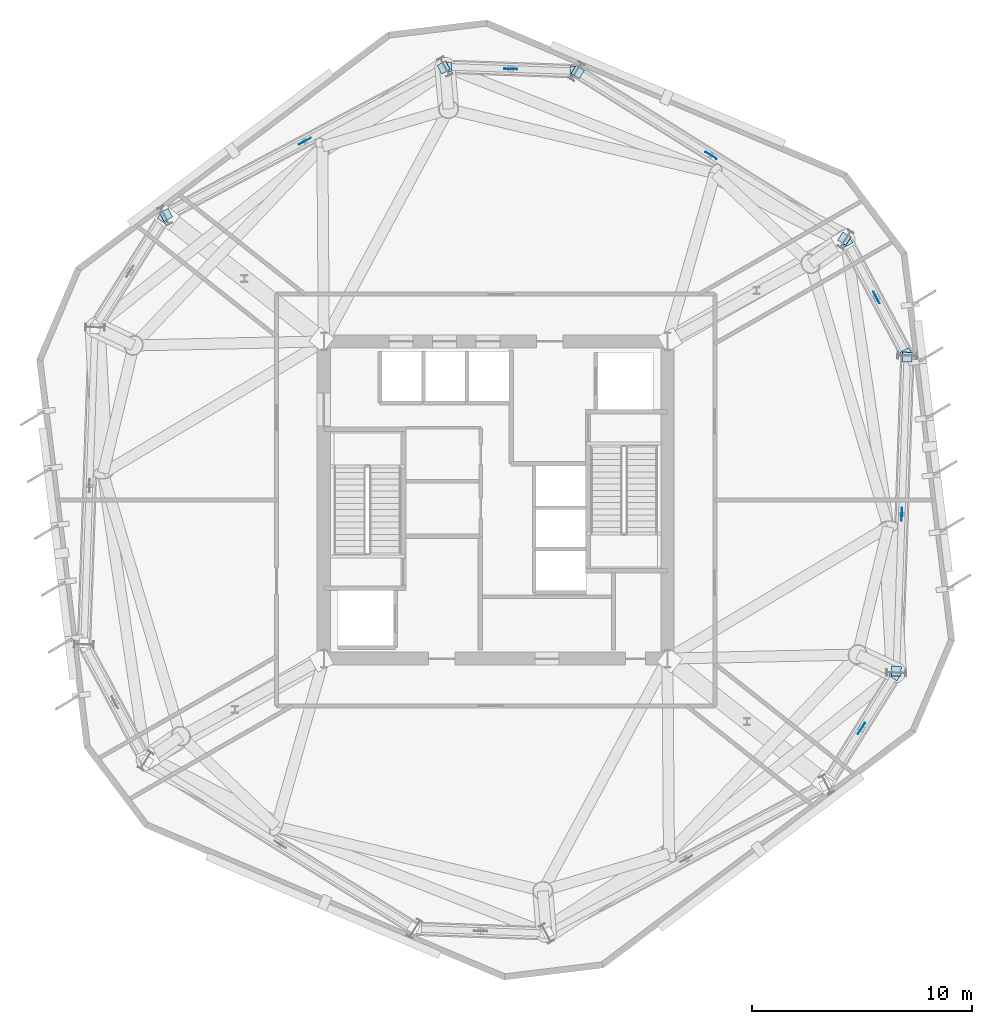
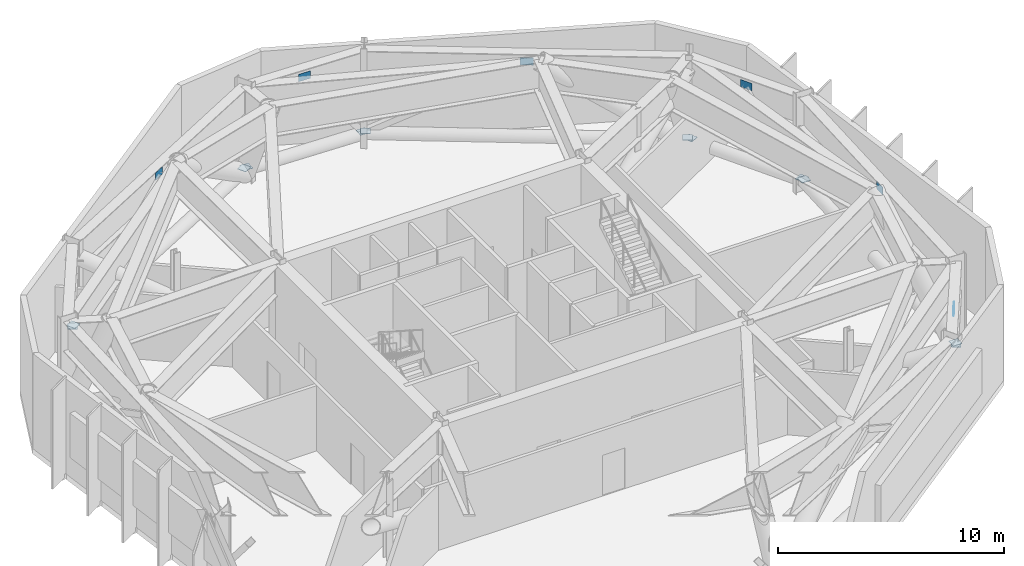
# One storey, part 5 of 11: 18 plates.
"""IFC4 building model written with IfcOpenShell, lengths in metres."""

from ifc_helpers import new_model, si_unit, direction, frame, origin, origin_2d, place, context, subcontext, project, spatial, rectangle, extrude, material, layer, layer_set, type_object, element, save


model = new_model("IFC4")

# Units and contexts
model_context = context("Model", 3, precision=1e-05, world=origin(), true_north=direction((0.0, 1.0)))
body_context = subcontext(model_context, "Body", "Model", "MODEL_VIEW")
ifc_project = project(units=[si_unit("LENGTHUNIT", "METRE"), si_unit("AREAUNIT", "SQUARE_METRE"), si_unit("VOLUMEUNIT", "CUBIC_METRE"), si_unit("PLANEANGLEUNIT", "RADIAN"), si_unit("MASSUNIT", "GRAM", prefix="KILO")], contexts=[model_context])

# Site, building, storey
site_placement = place(None, origin())
site = spatial("IfcSite", under=ifc_project, at=site_placement, CompositionType="ELEMENT")
building_placement = place(site_placement, origin())
building = spatial("IfcBuilding", under=site, at=building_placement, Name="Kranzbogen Civic Tower", CompositionType="ELEMENT")
storey_placement = place(building_placement, frame((0.0, 0.0, 170.39990234375)))
storey = spatial("IfcBuildingStorey", under=building, at=storey_placement, Name="L41", CompositionType="ELEMENT", Elevation=170.39990234375)

# Plates
ifc_material = material(Name="Steel S355", Category="steel")
ifc_layer_1 = layer(ifc_material, 0.028076171875, Name="Steel S355")
ifc_layer_set_1 = layer_set([ifc_layer_1], Name="Steel S355")
plate_type_1 = type_object("IfcPlateType", Name="Belt Truss Node Gusset Plate 600x400x28", PredefinedType="USERDEFINED", material=ifc_layer_set_1)
for number, where, z_axis, x_axis, name in (
    (1, (41.60498046875, 14.6240234375, 4.39013671875), (0.0, 0.0, 1.0), (0.529874859812, 0.848075841502, 0.0), "L41 belt truss apex gusset plate 05"),
    (2, (43.43798828125, 24.35595703125, 4.39013671875), (0.0, 0.0, 1.0), (0.034916939358, 0.999390217756, 0.0), "L41 belt truss apex gusset plate 06"),
    (3, (42.2880859375, 34.193115234375, 4.39013671875), (0.0, 0.0, 1.0), (-0.46951779317, 0.882923010175, 0.0), "L41 belt truss apex gusset plate 07"),
    (4, (34.777099609375, 40.64697265625, 4.39013671875), (0.0, 0.0, 1.0), (-0.848038847191, 0.529934065384, 0.0), "L41 belt truss apex gusset plate 08"),
    (5, (25.68408203125, 44.568115234375, 4.39013671875), (0.0, 0.0, 1.0), (-0.999393261028, 0.034829725976, 0.0), "L41 belt truss apex gusset plate 09"),
    (6, (16.337890625, 41.2900390625, 4.39013671875), (0.0, 0.0, 1.0), (-0.882955786549, -0.469456152372, 0.0), "L41 belt truss apex gusset plate 10"),
):
    element("IfcPlate", number, at=place(storey_placement, frame(where, z_axis=z_axis, x_axis=x_axis)), inside=storey, type_object=plate_type_1, Name=name, ObjectType="GUSSET_PLATE", PredefinedType="USERDEFINED", context=body_context, shape_type="SweptSolid", body=[
        extrude(rectangle(XDim=0.60009765625, YDim=0.028076171875, at=origin_2d()), origin(), (0.0, 0.0, 1.0), 0.39990234375),
    ])
ifc_layer_2 = layer(ifc_material, 0.02490234375, Name="Steel S355")
ifc_layer_set_2 = layer_set([ifc_layer_2], Name="Steel S355")
plate_type_2 = type_object("IfcPlateType", Name="Hollow Section Sealed End Cap Plate 440x440x25", PredefinedType="SHEET", material=ifc_layer_set_2)
for number, where, z_axis, x_axis, name in (
    (7, (43.14892578125, 17.093994140625, 0.627685546875), (0.0, 0.0, 1.0), (-0.529993268373, -0.848001848748, 0.0), "DG-300: L41 belt truss diagonal 05B end cap 1"),
    (8, (43.18994140625, 17.22509765625, 0.631591796875), (0.0, 0.0, 1.0), (0.034812283267, 0.999393868769, 0.0), "DG-300: L41 belt truss diagonal 06A end cap 1"),
    (9, (43.68701171875, 31.487060546875, 0.631591796875), (0.0, 0.0, 1.0), (-0.034951824636, -0.999388998316, 0.0), "DG-300: L41 belt truss diagonal 06B end cap 1"),
    (10, (43.656005859375, 31.6201171875, 0.627685546875), (0.0, 0.0, 1.0), (-0.469379098156, 0.882996750965, 0.0), "DG-300: L41 belt truss diagonal 07A end cap 1"),
    (11, (40.919921875, 36.764892578125, 0.627685546875), (0.0, 0.0, 1.0), (0.46951779317, -0.882923010175, 0.0), "DG-300: L41 belt truss diagonal 07B end cap 1"),
    (12, (40.826904296875, 36.864990234375, 0.631591796875), (0.0, 0.0, 1.0), (-0.847974097203, 0.530037668919, 0.0), "DG-300: L41 belt truss diagonal 08A end cap 1"),
    (13, (28.72705078125, 44.427978515625, 0.631591796875), (0.0, 0.0, 1.0), (0.848038847191, -0.529934065384, 0.0), "DG-300: L41 belt truss diagonal 08B end cap 1"),
    (14, (28.595947265625, 44.467041015625, 0.627685546875), (0.0, 0.0, 1.0), (-0.999395690166, 0.034759955079, 0.0), "DG-300: L41 belt truss diagonal 09A end cap 1"),
    (15, (22.77099609375, 44.6689453125, 0.627685546875), (0.0, 0.0, 1.0), (0.99939629669, -0.034742512329, 0.0), "DG-300: L41 belt truss diagonal 09B end cap 1"),
    (16, (22.637939453125, 44.638916015625, 0.631591796875), (0.0, 0.0, 1.0), (-0.882972173122, -0.469425331115, 0.0), "DG-300: L41 belt truss diagonal 10A end cap 1"),
    (17, (10.0380859375, 37.94091796875, 0.631591796875), (0.0, 0.0, 1.0), (0.882972173122, 0.469425331115, 0.0), "DG-300: L41 belt truss diagonal 10B end cap 1"),
    (18, (9.93896484375, 37.845947265625, 0.627685546875), (0.0, 0.0, 1.0), (-0.529993268373, -0.848001848748, 0.0), "DG-300: L41 belt truss diagonal 11A end cap 1"),
):
    element("IfcPlate", number, at=place(storey_placement, frame(where, z_axis=z_axis, x_axis=x_axis)), inside=storey, type_object=plate_type_2, Name=name, PredefinedType="SHEET", context=body_context, shape_type="SweptSolid", body=[
        extrude(rectangle(XDim=0.43994140625, YDim=0.43994140625, at=origin_2d()), origin(), (0.0, 0.0, 1.0), 0.02490234375),
    ])

save(model, "model.ifc")
